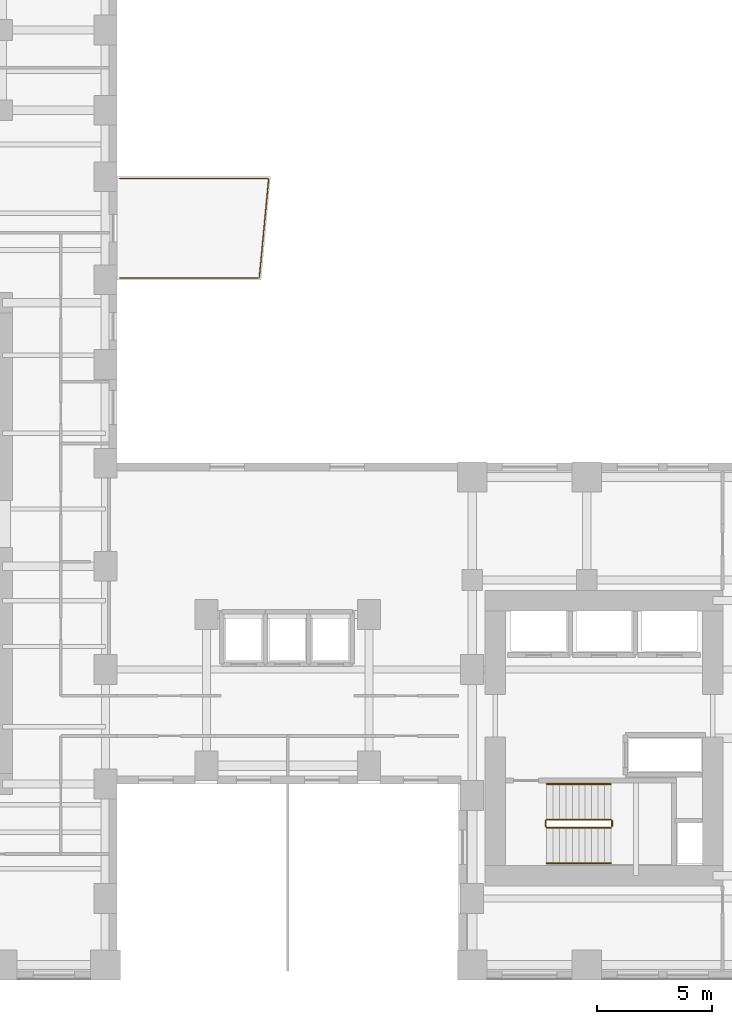
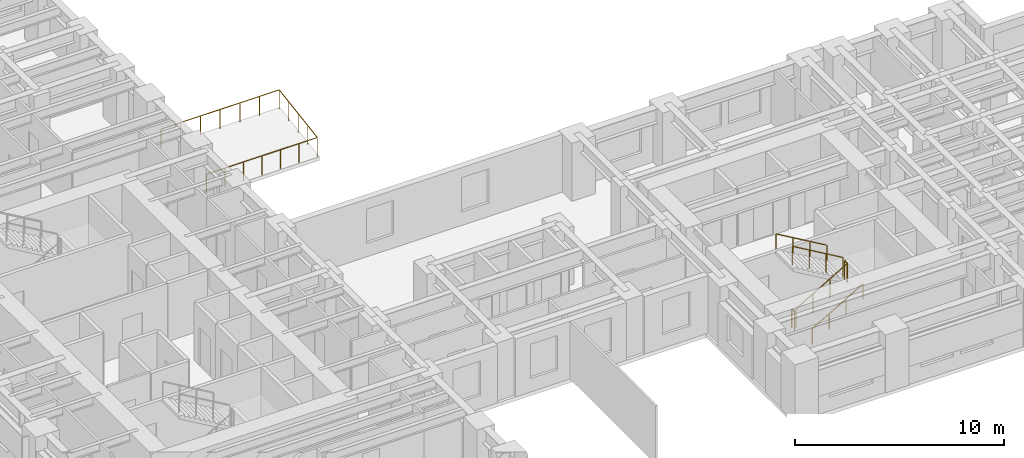
# One storey, part 12 of 12: 7 railings.
"""IFC4 building model written with IfcOpenShell, lengths in metres."""

from ifc_helpers import new_model, si_unit, direction, frame, origin, origin_2d, place, context, subcontext, project, spatial, circle, extrude, source, transform, mapped, material, layer, layer_set, type_object, element, save


model = new_model("IFC4")

# Units and contexts
model_context = context("Model", 3, precision=1e-05, world=origin(), true_north=direction((0.0, 1.0)))
body_context = subcontext(model_context, "Body", "Model", "MODEL_VIEW")
ifc_project = project(units=[si_unit("LENGTHUNIT", "METRE"), si_unit("AREAUNIT", "SQUARE_METRE"), si_unit("VOLUMEUNIT", "CUBIC_METRE"), si_unit("PLANEANGLEUNIT", "RADIAN"), si_unit("MASSUNIT", "GRAM", prefix="KILO")], contexts=[model_context])

# Site, building, storey
site_placement = place(None, origin())
site = spatial("IfcSite", under=ifc_project, at=site_placement, CompositionType="ELEMENT")
building_placement = place(site_placement, origin())
building = spatial("IfcBuilding", under=site, at=building_placement, Name="Kharzan Plaza Tower", CompositionType="ELEMENT")
storey_placement = place(building_placement, frame((0.0, 0.0, 26.10009765625)))
storey = spatial("IfcBuildingStorey", under=building, at=storey_placement, Name="L06", CompositionType="ELEMENT", Elevation=26.10009765625)

# Railings
ifc_material_1 = material(Name="Painted Galvanized Architectural Steel", Category="steel")
ifc_layer_1 = layer(ifc_material_1, 0.074951171875)
ifc_layer_set_1 = layer_set([ifc_layer_1], Name="Painted Galvanized Architectural Steel")
railing_type_1 = type_object("IfcRailingType", Name="RL-GUARD-1120", PredefinedType="BALUSTRADE", material=ifc_layer_set_1)
shared_shape_1 = source(origin(), body_context, "Body", "SweptSolid", [
    extrude(circle(Radius=0.02392578125, at=origin_2d()), frame((0.0, 0.0263671875, 1.09619140625), z_axis=(0.0, 1.0, 0.0), x_axis=(-1.0, 0.0, 0.0)), (0.0, 0.0, 1.0), 0.197021484375),
    extrude(circle(Radius=0.02099609375, at=origin_2d()), origin(), (0.0, 0.0, 1.0), 1.072021484375),
    extrude(circle(Radius=0.02099609375, at=origin_2d()), frame((0.0, 0.25, 0.0)), (0.0, 0.0, 1.0), 1.072021484375),
])
for number, where, name in (
    (1, (41.10009765625, 6.64990234375, 1.7998046875), "L06 ST-3 stair guard 2"),
    (2, (38.199951171875, 6.64990234375, 0.0), "L06 ST-3 stair guard 4"),
):
    element("IfcRailing", number, at=place(storey_placement, frame(where)), inside=storey, type_object=railing_type_1, Name=name, PredefinedType="BALUSTRADE", context=body_context, shape_type="MappedRepresentation", body=[
        mapped(shared_shape_1, transform((0.0, 0.0, 0.0), x_axis=(1.0, 0.0, 0.0), y_axis=(0.0, 1.0, 0.0), z_axis=(0.0, 0.0, 1.0))),
    ])
shared_shape_2 = source(origin(), body_context, "Body", "SweptSolid", [
    extrude(circle(Radius=0.02392578125, at=origin_2d()), frame((0.0263671875, 0.0, 1.09619140625), z_axis=(1.0, 0.0, 0.0), x_axis=(0.0, 1.0, 0.0)), (0.0, 0.0, 1.0), 6.056884765625),
    extrude(circle(Radius=0.02392578125, at=origin_2d()), frame((6.1123046875, 0.0263671875, 1.09619140625), z_axis=(0.094090176669, 0.995563678855, 0.0), x_axis=(-0.995563678855, 0.094090176669, 0.0)), (0.0, 0.0, 1.0), 4.306396484375),
    extrude(circle(Radius=0.02392578125, at=origin_2d()), frame((6.49365234375, 4.33984375, 1.09619140625), z_axis=(-1.0, 0.0, 0.0), x_axis=(0.0, -1.0, 0.0)), (0.0, 0.0, 1.0), 6.467041015625),
    extrude(circle(Radius=0.02099609375, at=origin_2d()), origin(), (0.0, 0.0, 1.0), 1.072021484375),
    extrude(circle(Radius=0.02099609375, at=origin_2d()), frame((1.018310546875, 0.0, 0.0)), (0.0, 0.0, 1.0), 1.072021484375),
    extrude(circle(Radius=0.02099609375, at=origin_2d()), frame((2.03662109375, 0.0, 0.0)), (0.0, 0.0, 1.0), 1.072021484375),
    extrude(circle(Radius=0.02099609375, at=origin_2d()), frame((3.054931640625, 0.0, 0.0)), (0.0, 0.0, 1.0), 1.072021484375),
    extrude(circle(Radius=0.02099609375, at=origin_2d()), frame((4.0732421875, 0.0, 0.0)), (0.0, 0.0, 1.0), 1.072021484375),
    extrude(circle(Radius=0.02099609375, at=origin_2d()), frame((5.091552734375, 0.0, 0.0)), (0.0, 0.0, 1.0), 1.072021484375),
    extrude(circle(Radius=0.02099609375, at=origin_2d()), frame((6.10986328125, 0.0, 0.0)), (0.0, 0.0, 1.0), 1.072021484375),
    extrude(circle(Radius=0.02099609375, at=origin_2d()), frame((6.21240234375, 1.0849609375, 0.0)), (0.0, 0.0, 1.0), 1.072021484375),
    extrude(circle(Radius=0.02099609375, at=origin_2d()), frame((6.31494140625, 2.169921875, 0.0)), (0.0, 0.0, 1.0), 1.072021484375),
    extrude(circle(Radius=0.02099609375, at=origin_2d()), frame((6.41748046875, 3.2548828125, 0.0)), (0.0, 0.0, 1.0), 1.072021484375),
    extrude(circle(Radius=0.02099609375, at=origin_2d()), frame((6.52001953125, 4.33984375, 0.0)), (0.0, 0.0, 1.0), 1.072021484375),
    extrude(circle(Radius=0.02099609375, at=origin_2d()), frame((5.433349609375, 4.33984375, 0.0)), (0.0, 0.0, 1.0), 1.072021484375),
    extrude(circle(Radius=0.02099609375, at=origin_2d()), frame((4.3466796875, 4.33984375, 0.0)), (0.0, 0.0, 1.0), 1.072021484375),
    extrude(circle(Radius=0.02099609375, at=origin_2d()), frame((3.260009765625, 4.33984375, 0.0)), (0.0, 0.0, 1.0), 1.072021484375),
    extrude(circle(Radius=0.02099609375, at=origin_2d()), frame((2.17333984375, 4.33984375, 0.0)), (0.0, 0.0, 1.0), 1.072021484375),
    extrude(circle(Radius=0.02099609375, at=origin_2d()), frame((1.086669921875, 4.33984375, 0.0)), (0.0, 0.0, 1.0), 1.072021484375),
    extrude(circle(Radius=0.02099609375, at=origin_2d()), frame((0.0, 4.33984375, 0.0)), (0.0, 0.0, 1.0), 1.072021484375),
])
railing_1_placement = place(storey_placement, frame((19.60009765625, 30.580078125, 0.0)))
element("IfcRailing", 3, at=railing_1_placement, inside=storey, type_object=railing_type_1, Name="L06 Cantilevered Sky-Terrace Tray Balustrade", PredefinedType="BALUSTRADE", context=body_context, shape_type="MappedRepresentation", body=[
    mapped(shared_shape_2, transform((0.0, 0.0, 0.0), x_axis=(1.0, 0.0, 0.0), y_axis=(0.0, 1.0, 0.0), z_axis=(0.0, 0.0, 1.0))),
])
shared_shape_3 = source(origin(), body_context, "Body", "SweptSolid", [
    extrude(circle(Radius=0.02392578125, at=origin_2d()), frame((0.02294921875, 0.0, 1.109375), z_axis=(0.863393664356, 0.0, 0.504530851732), x_axis=(0.0, 1.0, 0.0)), (0.0, 0.0, 1.0), 3.190185546875),
    extrude(circle(Radius=0.02099609375, at=origin_2d()), origin(), (0.0, 0.0, 1.0), 1.072021484375),
    extrude(circle(Radius=0.02099609375, at=origin_2d()), frame((0.933349609375, 0.0, 0.54541015625)), (0.0, 0.0, 1.0), 1.072021484375),
    extrude(circle(Radius=0.02099609375, at=origin_2d()), frame((1.86669921875, 0.0, 1.0908203125)), (0.0, 0.0, 1.0), 1.072021484375),
    extrude(circle(Radius=0.02099609375, at=origin_2d()), frame((2.800048828125, 0.0, 1.63623046875)), (0.0, 0.0, 1.0), 1.072021484375),
])
railing_2_placement = place(storey_placement, frame((38.25, 6.60009765625, 0.16357421875)))
element("IfcRailing", 4, at=railing_2_placement, inside=storey, type_object=railing_type_1, Name="L06 ST-3 stair guard 1", PredefinedType="BALUSTRADE", context=body_context, shape_type="MappedRepresentation", body=[
    mapped(shared_shape_3, transform((0.0, 0.0, 0.0), x_axis=(1.0, 0.0, 0.0), y_axis=(0.0, 1.0, 0.0), z_axis=(0.0, 0.0, 1.0))),
])
shared_shape_4 = source(origin(), body_context, "Body", "SweptSolid", [
    extrude(circle(Radius=0.02392578125, at=origin_2d()), frame((-0.02294921875, 0.0, 1.109375), z_axis=(-0.863393664356, 0.0, 0.504530851732), x_axis=(0.0, -1.0, 0.0)), (0.0, 0.0, 1.0), 3.190185546875),
    extrude(circle(Radius=0.02099609375, at=origin_2d()), origin(), (0.0, 0.0, 1.0), 1.072021484375),
    extrude(circle(Radius=0.02099609375, at=origin_2d()), frame((-0.933349609375, 0.0, 0.54541015625)), (0.0, 0.0, 1.0), 1.072021484375),
    extrude(circle(Radius=0.02099609375, at=origin_2d()), frame((-1.86669921875, 0.0, 1.0908203125)), (0.0, 0.0, 1.0), 1.072021484375),
    extrude(circle(Radius=0.02099609375, at=origin_2d()), frame((-2.800048828125, 0.0, 1.63623046875)), (0.0, 0.0, 1.0), 1.072021484375),
])
railing_3_placement = place(storey_placement, frame((41.050048828125, 6.949951171875, 1.963623046875)))
element("IfcRailing", 5, at=railing_3_placement, inside=storey, type_object=railing_type_1, Name="L06 ST-3 stair guard 3", PredefinedType="BALUSTRADE", context=body_context, shape_type="MappedRepresentation", body=[
    mapped(shared_shape_4, transform((0.0, 0.0, 0.0), x_axis=(1.0, 0.0, 0.0), y_axis=(0.0, 1.0, 0.0), z_axis=(0.0, 0.0, 1.0))),
])
ifc_material_2 = material(Name="Brushed Stainless Steel", Category="steel")
ifc_layer_2 = layer(ifc_material_2, 0.050048828125)
ifc_layer_set_2 = layer_set([ifc_layer_2], Name="Brushed Stainless Steel")
railing_type_2 = type_object("IfcRailingType", Name="RL-STAIR-HR920", PredefinedType="HANDRAIL", material=ifc_layer_set_2)
shared_shape_5 = source(origin(), body_context, "Body", "SweptSolid", [
    extrude(circle(Radius=0.02392578125, at=origin_2d()), frame((0.02294921875, 0.0, 0.88916015625), z_axis=(0.863393664356, 0.0, 0.504530851732), x_axis=(0.0, 1.0, 0.0)), (0.0, 0.0, 1.0), 3.190185546875),
    extrude(circle(Radius=0.02099609375, at=origin_2d()), origin(), (0.0, 0.0, 1.0), 0.851806640625),
    extrude(circle(Radius=0.02099609375, at=origin_2d()), frame((0.933349609375, 0.0, 0.54541015625)), (0.0, 0.0, 1.0), 0.851806640625),
    extrude(circle(Radius=0.02099609375, at=origin_2d()), frame((1.86669921875, 0.0, 1.0908203125)), (0.0, 0.0, 1.0), 0.851806640625),
    extrude(circle(Radius=0.02099609375, at=origin_2d()), frame((2.800048828125, 0.0, 1.63623046875)), (0.0, 0.0, 1.0), 0.851806640625),
])
railing_4_placement = place(storey_placement, frame((38.25, 5.050048828125, 0.16357421875)))
element("IfcRailing", 6, at=railing_4_placement, inside=storey, type_object=railing_type_2, Name="L06 ST-3 stair handrail 1", PredefinedType="HANDRAIL", context=body_context, shape_type="MappedRepresentation", body=[
    mapped(shared_shape_5, transform((0.0, 0.0, 0.0), x_axis=(1.0, 0.0, 0.0), y_axis=(0.0, 1.0, 0.0), z_axis=(0.0, 0.0, 1.0))),
])
shared_shape_6 = source(origin(), body_context, "Body", "SweptSolid", [
    extrude(circle(Radius=0.02392578125, at=origin_2d()), frame((-0.02294921875, 0.0, 0.88916015625), z_axis=(-0.863393664356, 0.0, 0.504530851732), x_axis=(0.0, -1.0, 0.0)), (0.0, 0.0, 1.0), 3.190185546875),
    extrude(circle(Radius=0.02099609375, at=origin_2d()), origin(), (0.0, 0.0, 1.0), 0.851806640625),
    extrude(circle(Radius=0.02099609375, at=origin_2d()), frame((-0.933349609375, 0.0, 0.54541015625)), (0.0, 0.0, 1.0), 0.851806640625),
    extrude(circle(Radius=0.02099609375, at=origin_2d()), frame((-1.86669921875, 0.0, 1.0908203125)), (0.0, 0.0, 1.0), 0.851806640625),
    extrude(circle(Radius=0.02099609375, at=origin_2d()), frame((-2.800048828125, 0.0, 1.63623046875)), (0.0, 0.0, 1.0), 0.851806640625),
])
railing_5_placement = place(storey_placement, frame((41.050048828125, 8.5, 1.963623046875)))
element("IfcRailing", 7, at=railing_5_placement, inside=storey, type_object=railing_type_2, Name="L06 ST-3 stair handrail 2", PredefinedType="HANDRAIL", context=body_context, shape_type="MappedRepresentation", body=[
    mapped(shared_shape_6, transform((0.0, 0.0, 0.0), x_axis=(1.0, 0.0, 0.0), y_axis=(0.0, 1.0, 0.0), z_axis=(0.0, 0.0, 1.0))),
])

save(model, "model.ifc")
